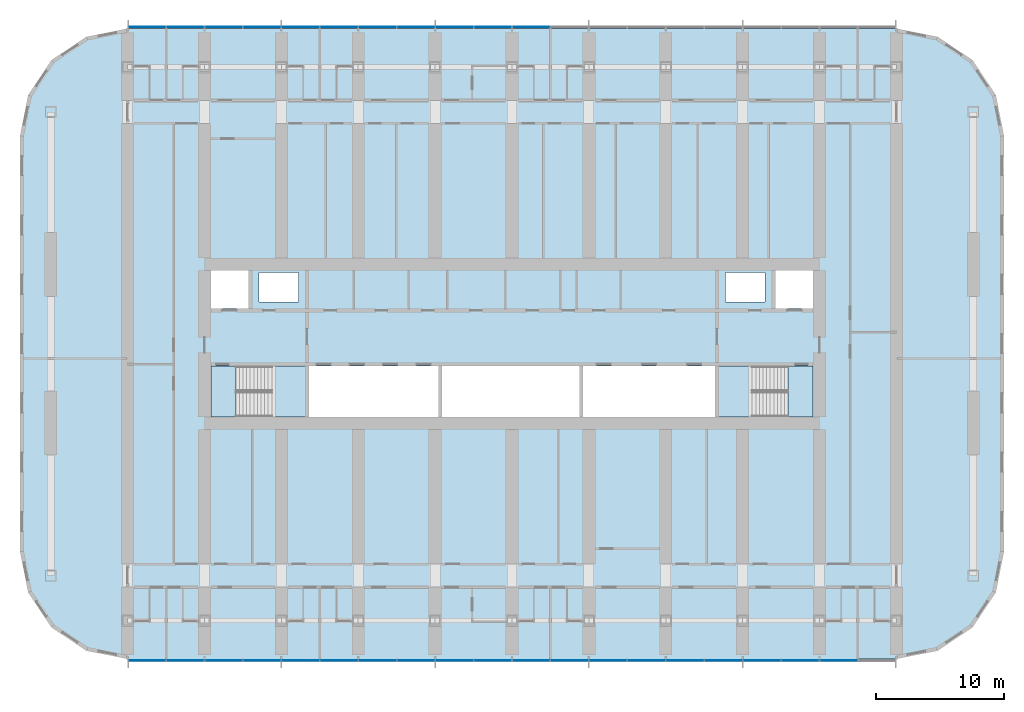
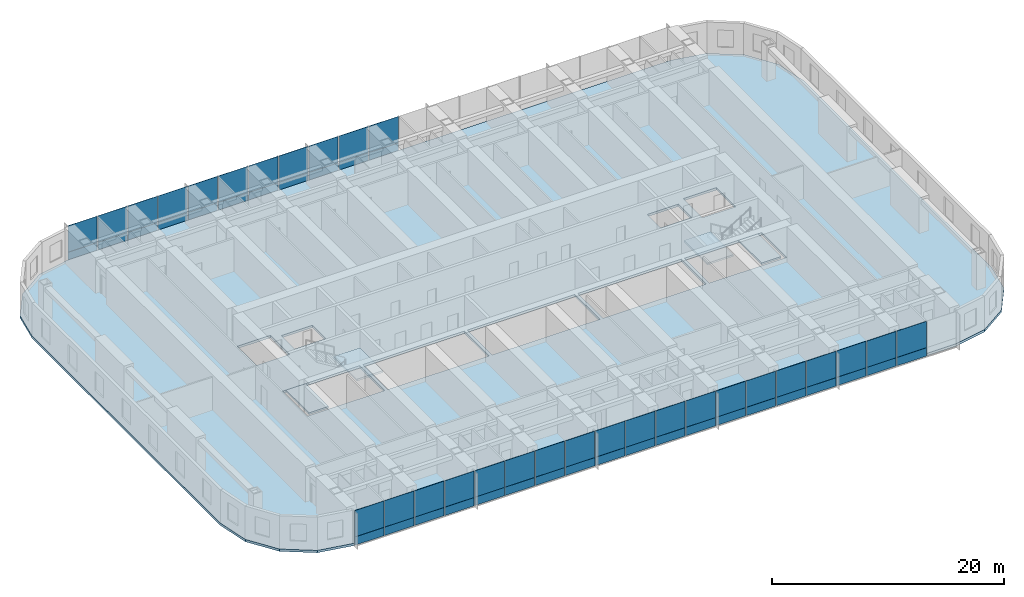
# One storey, part 8 of 23: 60 plates, 5 slabs, 4 elements without a shape of their own.
"""IFC4 building model written with IfcOpenShell, lengths in metres."""

from ifc_helpers import new_model, si_unit, direction, frame, origin, origin_2d, place, context, subcontext, project, spatial, polyline, rectangle, outline, extrude, material, layer, layer_set, type_object, element, aggregate, save


model = new_model("IFC4")

# Units and contexts
model_context = context("Model", 3, precision=1e-05, world=origin(), true_north=direction((0.0, 1.0)))
body_context = subcontext(model_context, "Body", "Model", "MODEL_VIEW")
ifc_project = project(units=[si_unit("LENGTHUNIT", "METRE"), si_unit("AREAUNIT", "SQUARE_METRE"), si_unit("VOLUMEUNIT", "CUBIC_METRE"), si_unit("PLANEANGLEUNIT", "RADIAN"), si_unit("MASSUNIT", "GRAM", prefix="KILO")], contexts=[model_context])

# Site, building, storey
site_placement = place(None, origin())
site = spatial("IfcSite", under=ifc_project, at=site_placement, CompositionType="ELEMENT")
building_placement = place(site_placement, origin())
building = spatial("IfcBuilding", under=site, at=building_placement, Name="Orbita Commons", CompositionType="ELEMENT")
storey_placement = place(building_placement, frame((0.0, 0.0, 61.449951171875)))
storey = spatial("IfcBuildingStorey", under=building, at=storey_placement, Name="L15", CompositionType="ELEMENT", Elevation=61.449951171875)

# Slab
ifc_material_1 = material(Name="Concrete C40/50", Category="concrete")
ifc_layer_1 = layer(ifc_material_1, 0.25)
ifc_layer_set_1 = layer_set([ifc_layer_1], Name="Concrete C40/50")
slab_type_1 = type_object("IfcSlabType", Name="Floor slab 250", PredefinedType="FLOOR", material=ifc_layer_set_1)
slab_1_placement = place(storey_placement, frame((0.0, 0.0, -0.25)))
element("IfcSlab", 1, at=slab_1_placement, inside=storey, type_object=slab_type_1, Name="Floor slab L15", PredefinedType="FLOOR", context=body_context, shape_type="SweptSolid", body=[
    extrude(outline(polyline([(72.0, 7.39990234375), (75.214599609375, 8.039306640625), (77.939697265625, 9.8603515625), (79.760498046875, 12.58544921875), (80.39990234375, 15.800048828125), (80.39990234375, 48.199951171875), (79.760498046875, 51.41455078125), (77.939697265625, 54.1396484375), (75.214599609375, 55.960693359375), (72.0, 56.60009765625), (12.0, 56.60009765625), (8.785400390625, 55.960693359375), (6.060302734375, 54.1396484375), (4.239501953125, 51.41455078125), (3.60009765625, 48.199951171875), (3.60009765625, 15.800048828125), (4.239501953125, 12.58544921875), (6.060302734375, 9.8603515625), (8.785400390625, 8.039306640625), (12.0, 7.39990234375), (72.0, 7.39990234375)]), holes=[polyline([(18.14990234375, 25.949951171875), (25.85009765625, 25.949951171875), (25.85009765625, 30.25), (18.14990234375, 30.25), (18.14990234375, 25.949951171875)]), polyline([(58.14990234375, 25.949951171875), (65.85009765625, 25.949951171875), (65.85009765625, 30.25), (58.14990234375, 30.25), (58.14990234375, 25.949951171875)]), polyline([(18.14990234375, 34.75), (21.449951171875, 34.75), (21.449951171875, 38.050048828125), (18.14990234375, 38.050048828125), (18.14990234375, 34.75)]), polyline([(62.550048828125, 34.75), (65.85009765625, 34.75), (65.85009765625, 38.050048828125), (62.550048828125, 38.050048828125), (62.550048828125, 34.75)]), polyline([(22.25, 35.25), (25.35009765625, 35.25), (25.35009765625, 37.550048828125), (22.25, 37.550048828125), (22.25, 35.25)]), polyline([(58.64990234375, 35.25), (61.75, 35.25), (61.75, 37.550048828125), (58.64990234375, 37.550048828125), (58.64990234375, 35.25)]), polyline([(26.14990234375, 25.949951171875), (36.25, 25.949951171875), (36.25, 30.25), (26.14990234375, 30.25), (26.14990234375, 25.949951171875)]), polyline([(36.550048828125, 25.949951171875), (47.25, 25.949951171875), (47.25, 30.25), (36.550048828125, 30.25), (36.550048828125, 25.949951171875)]), polyline([(47.550048828125, 25.949951171875), (57.85009765625, 25.949951171875), (57.85009765625, 30.25), (47.550048828125, 30.25), (47.550048828125, 25.949951171875)])]), origin(), (0.0, 0.0, 1.0), 0.25),
])

# Curtain wall, plates
ifc_material_2 = material(Name="Anodised aluminium frame, pale silver", Category="aluminium")
curtain_wall_type = type_object("IfcCurtainWallType", Name="Unitised curtain wall CW-T, vision and spandrel", PredefinedType="NOTDEFINED", material=ifc_material_2)
curtain_wall_1_placement = place(storey_placement, origin())
curtain_wall_1 = element("IfcCurtainWall", 2, at=curtain_wall_1_placement, inside=storey, type_object=curtain_wall_type, Name="Curtain wall south L15", PredefinedType="NOTDEFINED")
ifc_material_3 = material(Name="Anodised aluminium sheet on mineral wool", Category="aluminium")
ifc_layer_2 = layer(ifc_material_3, 0.050048828125)
ifc_layer_set_2 = layer_set([ifc_layer_2], Name="Anodised aluminium sheet on mineral wool")
plate_type_1 = type_object("IfcPlateType", Name="Spandrel panel, pale aluminium over insulation 50", PredefinedType="CURTAIN_PANEL", material=ifc_layer_set_2)
plate_1_placement = place(storey_placement, frame((13.52001953125, 7.2900390625, -0.14990234375), z_axis=(0.0, 0.0, 1.0), x_axis=(1.0, 0.0, 0.0)))
plate_1 = element("IfcPlate", 3, at=plate_1_placement, type_object=plate_type_1, Name="Panel 1.1 CW-L15-S", PredefinedType="CURTAIN_PANEL", context=body_context, shape_type="SweptSolid", body=[
    extrude(rectangle(XDim=2.8798828125, YDim=0.050048828125, at=origin_2d()), origin(), (0.0, 0.0, 1.0), 0.875),
])
plate_2_placement = place(storey_placement, frame((16.5, 7.2900390625, -0.14990234375), z_axis=(0.0, 0.0, 1.0), x_axis=(1.0, 0.0, 0.0)))
plate_2 = element("IfcPlate", 4, at=plate_2_placement, type_object=plate_type_1, Name="Panel 2.1 CW-L15-S", PredefinedType="CURTAIN_PANEL", context=body_context, shape_type="SweptSolid", body=[
    extrude(rectangle(XDim=2.919921875, YDim=0.050048828125, at=origin_2d()), origin(), (0.0, 0.0, 1.0), 0.875),
])
plate_3_placement = place(storey_placement, frame((19.5, 7.2900390625, -0.14990234375), z_axis=(0.0, 0.0, 1.0), x_axis=(1.0, 0.0, 0.0)))
plate_3 = element("IfcPlate", 5, at=plate_3_placement, type_object=plate_type_1, Name="Panel 3.1 CW-L15-S", PredefinedType="CURTAIN_PANEL", context=body_context, shape_type="SweptSolid", body=[
    extrude(rectangle(XDim=2.919921875, YDim=0.050048828125, at=origin_2d()), origin(), (0.0, 0.0, 1.0), 0.875),
])
plate_4_placement = place(storey_placement, frame((22.5, 7.2900390625, -0.14990234375), z_axis=(0.0, 0.0, 1.0), x_axis=(1.0, 0.0, 0.0)))
plate_4 = element("IfcPlate", 6, at=plate_4_placement, type_object=plate_type_1, Name="Panel 4.1 CW-L15-S", PredefinedType="CURTAIN_PANEL", context=body_context, shape_type="SweptSolid", body=[
    extrude(rectangle(XDim=2.919921875, YDim=0.050048828125, at=origin_2d()), origin(), (0.0, 0.0, 1.0), 0.875),
])
plate_5_placement = place(storey_placement, frame((25.5, 7.2900390625, -0.14990234375), z_axis=(0.0, 0.0, 1.0), x_axis=(1.0, 0.0, 0.0)))
plate_5 = element("IfcPlate", 7, at=plate_5_placement, type_object=plate_type_1, Name="Panel 5.1 CW-L15-S", PredefinedType="CURTAIN_PANEL", context=body_context, shape_type="SweptSolid", body=[
    extrude(rectangle(XDim=2.919921875, YDim=0.050048828125, at=origin_2d()), origin(), (0.0, 0.0, 1.0), 0.875),
])
plate_6_placement = place(storey_placement, frame((28.5, 7.2900390625, -0.14990234375), z_axis=(0.0, 0.0, 1.0), x_axis=(1.0, 0.0, 0.0)))
plate_6 = element("IfcPlate", 8, at=plate_6_placement, type_object=plate_type_1, Name="Panel 6.1 CW-L15-S", PredefinedType="CURTAIN_PANEL", context=body_context, shape_type="SweptSolid", body=[
    extrude(rectangle(XDim=2.919921875, YDim=0.050048828125, at=origin_2d()), origin(), (0.0, 0.0, 1.0), 0.875),
])
plate_7_placement = place(storey_placement, frame((31.5, 7.2900390625, -0.14990234375), z_axis=(0.0, 0.0, 1.0), x_axis=(1.0, 0.0, 0.0)))
plate_7 = element("IfcPlate", 9, at=plate_7_placement, type_object=plate_type_1, Name="Panel 7.1 CW-L15-S", PredefinedType="CURTAIN_PANEL", context=body_context, shape_type="SweptSolid", body=[
    extrude(rectangle(XDim=2.919921875, YDim=0.050048828125, at=origin_2d()), origin(), (0.0, 0.0, 1.0), 0.875),
])
plate_8_placement = place(storey_placement, frame((34.5, 7.2900390625, -0.14990234375), z_axis=(0.0, 0.0, 1.0), x_axis=(1.0, 0.0, 0.0)))
plate_8 = element("IfcPlate", 10, at=plate_8_placement, type_object=plate_type_1, Name="Panel 8.1 CW-L15-S", PredefinedType="CURTAIN_PANEL", context=body_context, shape_type="SweptSolid", body=[
    extrude(rectangle(XDim=2.919921875, YDim=0.050048828125, at=origin_2d()), origin(), (0.0, 0.0, 1.0), 0.875),
])
plate_9_placement = place(storey_placement, frame((37.5, 7.2900390625, -0.14990234375), z_axis=(0.0, 0.0, 1.0), x_axis=(1.0, 0.0, 0.0)))
plate_9 = element("IfcPlate", 11, at=plate_9_placement, type_object=plate_type_1, Name="Panel 9.1 CW-L15-S", PredefinedType="CURTAIN_PANEL", context=body_context, shape_type="SweptSolid", body=[
    extrude(rectangle(XDim=2.919921875, YDim=0.050048828125, at=origin_2d()), origin(), (0.0, 0.0, 1.0), 0.875),
])
plate_10_placement = place(storey_placement, frame((40.5, 7.2900390625, -0.14990234375), z_axis=(0.0, 0.0, 1.0), x_axis=(1.0, 0.0, 0.0)))
plate_10 = element("IfcPlate", 12, at=plate_10_placement, type_object=plate_type_1, Name="Panel 10.1 CW-L15-S", PredefinedType="CURTAIN_PANEL", context=body_context, shape_type="SweptSolid", body=[
    extrude(rectangle(XDim=2.919921875, YDim=0.050048828125, at=origin_2d()), origin(), (0.0, 0.0, 1.0), 0.875),
])
plate_11_placement = place(storey_placement, frame((43.5, 7.2900390625, -0.14990234375), z_axis=(0.0, 0.0, 1.0), x_axis=(1.0, 0.0, 0.0)))
plate_11 = element("IfcPlate", 13, at=plate_11_placement, type_object=plate_type_1, Name="Panel 11.1 CW-L15-S", PredefinedType="CURTAIN_PANEL", context=body_context, shape_type="SweptSolid", body=[
    extrude(rectangle(XDim=2.919921875, YDim=0.050048828125, at=origin_2d()), origin(), (0.0, 0.0, 1.0), 0.875),
])
plate_12_placement = place(storey_placement, frame((46.5, 7.2900390625, -0.14990234375), z_axis=(0.0, 0.0, 1.0), x_axis=(1.0, 0.0, 0.0)))
plate_12 = element("IfcPlate", 14, at=plate_12_placement, type_object=plate_type_1, Name="Panel 12.1 CW-L15-S", PredefinedType="CURTAIN_PANEL", context=body_context, shape_type="SweptSolid", body=[
    extrude(rectangle(XDim=2.919921875, YDim=0.050048828125, at=origin_2d()), origin(), (0.0, 0.0, 1.0), 0.875),
])
plate_13_placement = place(storey_placement, frame((49.5, 7.2900390625, -0.14990234375), z_axis=(0.0, 0.0, 1.0), x_axis=(1.0, 0.0, 0.0)))
plate_13 = element("IfcPlate", 15, at=plate_13_placement, type_object=plate_type_1, Name="Panel 13.1 CW-L15-S", PredefinedType="CURTAIN_PANEL", context=body_context, shape_type="SweptSolid", body=[
    extrude(rectangle(XDim=2.919921875, YDim=0.050048828125, at=origin_2d()), origin(), (0.0, 0.0, 1.0), 0.875),
])
plate_14_placement = place(storey_placement, frame((52.5, 7.2900390625, -0.14990234375), z_axis=(0.0, 0.0, 1.0), x_axis=(1.0, 0.0, 0.0)))
plate_14 = element("IfcPlate", 16, at=plate_14_placement, type_object=plate_type_1, Name="Panel 14.1 CW-L15-S", PredefinedType="CURTAIN_PANEL", context=body_context, shape_type="SweptSolid", body=[
    extrude(rectangle(XDim=2.919921875, YDim=0.050048828125, at=origin_2d()), origin(), (0.0, 0.0, 1.0), 0.875),
])
plate_15_placement = place(storey_placement, frame((55.5, 7.2900390625, -0.14990234375), z_axis=(0.0, 0.0, 1.0), x_axis=(1.0, 0.0, 0.0)))
plate_15 = element("IfcPlate", 17, at=plate_15_placement, type_object=plate_type_1, Name="Panel 15.1 CW-L15-S", PredefinedType="CURTAIN_PANEL", context=body_context, shape_type="SweptSolid", body=[
    extrude(rectangle(XDim=2.919921875, YDim=0.050048828125, at=origin_2d()), origin(), (0.0, 0.0, 1.0), 0.875),
])
plate_16_placement = place(storey_placement, frame((58.5, 7.2900390625, -0.14990234375), z_axis=(0.0, 0.0, 1.0), x_axis=(1.0, 0.0, 0.0)))
plate_16 = element("IfcPlate", 18, at=plate_16_placement, type_object=plate_type_1, Name="Panel 16.1 CW-L15-S", PredefinedType="CURTAIN_PANEL", context=body_context, shape_type="SweptSolid", body=[
    extrude(rectangle(XDim=2.919921875, YDim=0.050048828125, at=origin_2d()), origin(), (0.0, 0.0, 1.0), 0.875),
])
plate_17_placement = place(storey_placement, frame((61.5, 7.2900390625, -0.14990234375), z_axis=(0.0, 0.0, 1.0), x_axis=(1.0, 0.0, 0.0)))
plate_17 = element("IfcPlate", 19, at=plate_17_placement, type_object=plate_type_1, Name="Panel 17.1 CW-L15-S", PredefinedType="CURTAIN_PANEL", context=body_context, shape_type="SweptSolid", body=[
    extrude(rectangle(XDim=2.919921875, YDim=0.050048828125, at=origin_2d()), origin(), (0.0, 0.0, 1.0), 0.875),
])
plate_18_placement = place(storey_placement, frame((64.5, 7.2900390625, -0.14990234375), z_axis=(0.0, 0.0, 1.0), x_axis=(1.0, 0.0, 0.0)))
plate_18 = element("IfcPlate", 20, at=plate_18_placement, type_object=plate_type_1, Name="Panel 18.1 CW-L15-S", PredefinedType="CURTAIN_PANEL", context=body_context, shape_type="SweptSolid", body=[
    extrude(rectangle(XDim=2.919921875, YDim=0.050048828125, at=origin_2d()), origin(), (0.0, 0.0, 1.0), 0.875),
])
plate_19_placement = place(storey_placement, frame((67.5, 7.2900390625, -0.14990234375), z_axis=(0.0, 0.0, 1.0), x_axis=(1.0, 0.0, 0.0)))
plate_19 = element("IfcPlate", 21, at=plate_19_placement, type_object=plate_type_1, Name="Panel 19.1 CW-L15-S", PredefinedType="CURTAIN_PANEL", context=body_context, shape_type="SweptSolid", body=[
    extrude(rectangle(XDim=2.919921875, YDim=0.050048828125, at=origin_2d()), origin(), (0.0, 0.0, 1.0), 0.875),
])

curtain_wall_2_placement = place(storey_placement, origin())
curtain_wall_2 = element("IfcCurtainWall", 22, at=curtain_wall_2_placement, inside=storey, type_object=curtain_wall_type, Name="Curtain wall north L15", PredefinedType="NOTDEFINED")
plate_20_placement = place(storey_placement, frame((43.5, 56.7099609375, -0.14990234375), z_axis=(0.0, 0.0, 1.0), x_axis=(-1.0, 0.0, 0.0)))
plate_20 = element("IfcPlate", 23, at=plate_20_placement, type_object=plate_type_1, Name="Panel 10.1 CW-L15-N", PredefinedType="CURTAIN_PANEL", context=body_context, shape_type="SweptSolid", body=[
    extrude(rectangle(XDim=2.919921875, YDim=0.050048828125, at=origin_2d()), origin(), (0.0, 0.0, 1.0), 0.875),
])
plate_21_placement = place(storey_placement, frame((40.5, 56.7099609375, -0.14990234375), z_axis=(0.0, 0.0, 1.0), x_axis=(-1.0, 0.0, 0.0)))
plate_21 = element("IfcPlate", 24, at=plate_21_placement, type_object=plate_type_1, Name="Panel 11.1 CW-L15-N", PredefinedType="CURTAIN_PANEL", context=body_context, shape_type="SweptSolid", body=[
    extrude(rectangle(XDim=2.919921875, YDim=0.050048828125, at=origin_2d()), origin(), (0.0, 0.0, 1.0), 0.875),
])
plate_22_placement = place(storey_placement, frame((37.5, 56.7099609375, -0.14990234375), z_axis=(0.0, 0.0, 1.0), x_axis=(-1.0, 0.0, 0.0)))
plate_22 = element("IfcPlate", 25, at=plate_22_placement, type_object=plate_type_1, Name="Panel 12.1 CW-L15-N", PredefinedType="CURTAIN_PANEL", context=body_context, shape_type="SweptSolid", body=[
    extrude(rectangle(XDim=2.919921875, YDim=0.050048828125, at=origin_2d()), origin(), (0.0, 0.0, 1.0), 0.875),
])
plate_23_placement = place(storey_placement, frame((34.5, 56.7099609375, -0.14990234375), z_axis=(0.0, 0.0, 1.0), x_axis=(-1.0, 0.0, 0.0)))
plate_23 = element("IfcPlate", 26, at=plate_23_placement, type_object=plate_type_1, Name="Panel 13.1 CW-L15-N", PredefinedType="CURTAIN_PANEL", context=body_context, shape_type="SweptSolid", body=[
    extrude(rectangle(XDim=2.919921875, YDim=0.050048828125, at=origin_2d()), origin(), (0.0, 0.0, 1.0), 0.875),
])
plate_24_placement = place(storey_placement, frame((31.5, 56.7099609375, -0.14990234375), z_axis=(0.0, 0.0, 1.0), x_axis=(-1.0, 0.0, 0.0)))
plate_24 = element("IfcPlate", 27, at=plate_24_placement, type_object=plate_type_1, Name="Panel 14.1 CW-L15-N", PredefinedType="CURTAIN_PANEL", context=body_context, shape_type="SweptSolid", body=[
    extrude(rectangle(XDim=2.919921875, YDim=0.050048828125, at=origin_2d()), origin(), (0.0, 0.0, 1.0), 0.875),
])
plate_25_placement = place(storey_placement, frame((28.5, 56.7099609375, -0.14990234375), z_axis=(0.0, 0.0, 1.0), x_axis=(-1.0, 0.0, 0.0)))
plate_25 = element("IfcPlate", 28, at=plate_25_placement, type_object=plate_type_1, Name="Panel 15.1 CW-L15-N", PredefinedType="CURTAIN_PANEL", context=body_context, shape_type="SweptSolid", body=[
    extrude(rectangle(XDim=2.919921875, YDim=0.050048828125, at=origin_2d()), origin(), (0.0, 0.0, 1.0), 0.875),
])
plate_26_placement = place(storey_placement, frame((25.5, 56.7099609375, -0.14990234375), z_axis=(0.0, 0.0, 1.0), x_axis=(-1.0, 0.0, 0.0)))
plate_26 = element("IfcPlate", 29, at=plate_26_placement, type_object=plate_type_1, Name="Panel 16.1 CW-L15-N", PredefinedType="CURTAIN_PANEL", context=body_context, shape_type="SweptSolid", body=[
    extrude(rectangle(XDim=2.919921875, YDim=0.050048828125, at=origin_2d()), origin(), (0.0, 0.0, 1.0), 0.875),
])
plate_27_placement = place(storey_placement, frame((22.5, 56.7099609375, -0.14990234375), z_axis=(0.0, 0.0, 1.0), x_axis=(-1.0, 0.0, 0.0)))
plate_27 = element("IfcPlate", 30, at=plate_27_placement, type_object=plate_type_1, Name="Panel 17.1 CW-L15-N", PredefinedType="CURTAIN_PANEL", context=body_context, shape_type="SweptSolid", body=[
    extrude(rectangle(XDim=2.919921875, YDim=0.050048828125, at=origin_2d()), origin(), (0.0, 0.0, 1.0), 0.875),
])
plate_28_placement = place(storey_placement, frame((19.5, 56.7099609375, -0.14990234375), z_axis=(0.0, 0.0, 1.0), x_axis=(-1.0, 0.0, 0.0)))
plate_28 = element("IfcPlate", 31, at=plate_28_placement, type_object=plate_type_1, Name="Panel 18.1 CW-L15-N", PredefinedType="CURTAIN_PANEL", context=body_context, shape_type="SweptSolid", body=[
    extrude(rectangle(XDim=2.919921875, YDim=0.050048828125, at=origin_2d()), origin(), (0.0, 0.0, 1.0), 0.875),
])
plate_29_placement = place(storey_placement, frame((16.5, 56.7099609375, -0.14990234375), z_axis=(0.0, 0.0, 1.0), x_axis=(-1.0, 0.0, 0.0)))
plate_29 = element("IfcPlate", 32, at=plate_29_placement, type_object=plate_type_1, Name="Panel 19.1 CW-L15-N", PredefinedType="CURTAIN_PANEL", context=body_context, shape_type="SweptSolid", body=[
    extrude(rectangle(XDim=2.919921875, YDim=0.050048828125, at=origin_2d()), origin(), (0.0, 0.0, 1.0), 0.875),
])
plate_30_placement = place(storey_placement, frame((13.52001953125, 56.7099609375, -0.14990234375), z_axis=(0.0, 0.0, 1.0), x_axis=(-1.0, 0.0, 0.0)))
plate_30 = element("IfcPlate", 33, at=plate_30_placement, type_object=plate_type_1, Name="Panel 20.1 CW-L15-N", PredefinedType="CURTAIN_PANEL", context=body_context, shape_type="SweptSolid", body=[
    extrude(rectangle(XDim=2.8798828125, YDim=0.050048828125, at=origin_2d()), origin(), (0.0, 0.0, 1.0), 0.875),
])

# Stair, slabs
ifc_material_4 = material(Name="Precast concrete C40/50", Category="concrete")
stair_type_1 = type_object("IfcStairType", Name="Exit stair S1 2 flights 11 risers 170", PredefinedType="HALF_TURN_STAIR", material=ifc_material_4)
stair_1_placement = place(storey_placement, origin())
stair_1 = element("IfcStair", 34, at=stair_1_placement, inside=storey, type_object=stair_type_1, Name="Exit stair S1 L15", PredefinedType="HALF_TURN_STAIR")
ifc_material_5 = material(Name="Concrete C40/50", Category="concrete")
ifc_layer_3 = layer(ifc_material_5, 0.199951171875)
ifc_layer_set_3 = layer_set([ifc_layer_3], Name="Concrete C40/50")
slab_type_2 = type_object("IfcSlabType", Name="Stair landing 200", PredefinedType="LANDING", material=ifc_layer_set_3)
slab_2_placement = place(storey_placement, frame((0.0, 0.0, -0.199951171875)))
slab_2 = element("IfcSlab", 35, at=slab_2_placement, type_object=slab_type_2, Name="S1 landing 1", PredefinedType="LANDING", context=body_context, shape_type="SweptSolid", body=[
    extrude(outline(polyline([(18.5, 26.300048828125), (20.449951171875, 26.300048828125), (20.449951171875, 30.25), (18.5, 30.25), (18.5, 26.300048828125)])), origin(), (0.0, 0.0, 1.0), 0.199951171875),
])
slab_3_placement = place(storey_placement, frame((0.0, 0.0, 1.675048828125)))
slab_3 = element("IfcSlab", 36, at=slab_3_placement, type_object=slab_type_2, Name="S1 landing 2", PredefinedType="LANDING", context=body_context, shape_type="SweptSolid", body=[
    extrude(outline(polyline([(23.25, 26.284912109375), (25.864990234375, 26.284912109375), (25.864990234375, 30.264892578125), (23.25, 30.264892578125), (23.25, 26.284912109375)])), origin(), (0.0, 0.0, 1.0), 0.199951171875),
])
aggregate(stair_1, [slab_2, slab_3])

ifc_material_6 = material(Name="Precast concrete C40/50", Category="concrete")
stair_type_2 = type_object("IfcStairType", Name="Exit stair S2 2 flights 11 risers 170", PredefinedType="HALF_TURN_STAIR", material=ifc_material_6)
stair_2_placement = place(storey_placement, origin())
stair_2 = element("IfcStair", 37, at=stair_2_placement, inside=storey, type_object=stair_type_2, Name="Exit stair S2 L15", PredefinedType="HALF_TURN_STAIR")
slab_4_placement = place(storey_placement, frame((0.0, 0.0, -0.199951171875)))
slab_4 = element("IfcSlab", 38, at=slab_4_placement, type_object=slab_type_2, Name="S2 landing 1", PredefinedType="LANDING", context=body_context, shape_type="SweptSolid", body=[
    extrude(outline(polyline([(63.550048828125, 26.300048828125), (65.5, 26.300048828125), (65.5, 30.25), (63.550048828125, 30.25), (63.550048828125, 26.300048828125)])), origin(), (0.0, 0.0, 1.0), 0.199951171875),
])
slab_5_placement = place(storey_placement, frame((0.0, 0.0, 1.675048828125)))
slab_5 = element("IfcSlab", 39, at=slab_5_placement, type_object=slab_type_2, Name="S2 landing 2", PredefinedType="LANDING", context=body_context, shape_type="SweptSolid", body=[
    extrude(outline(polyline([(58.135009765625, 26.284912109375), (60.75, 26.284912109375), (60.75, 30.264892578125), (58.135009765625, 30.264892578125), (58.135009765625, 26.284912109375)])), origin(), (0.0, 0.0, 1.0), 0.199951171875),
])
aggregate(stair_2, [slab_4, slab_5])

# Plate
ifc_material_7 = material(Name="Clear double glazing", Category="glass")
ifc_layer_4 = layer(ifc_material_7, 0.031982421875)
ifc_layer_set_4 = layer_set([ifc_layer_4], Name="Clear double glazing")
plate_type_2 = type_object("IfcPlateType", Name="Vision panel, clear double glazing 32", PredefinedType="CURTAIN_PANEL", material=ifc_layer_set_4)
plate_31_placement = place(storey_placement, frame((13.52001953125, 7.2900390625, 0.72509765625), z_axis=(0.0, 0.0, 1.0), x_axis=(1.0, 0.0, 0.0)))
plate_31 = element("IfcPlate", 40, at=plate_31_placement, type_object=plate_type_2, Name="Panel 1.2 CW-L15-S", PredefinedType="CURTAIN_PANEL", context=body_context, shape_type="SweptSolid", body=[
    extrude(rectangle(XDim=2.8798828125, YDim=0.031982421875, at=origin_2d()), origin(), (0.0, 0.0, 1.0), 2.77490234375),
])

plate_32_placement = place(storey_placement, frame((16.5, 7.2900390625, 0.72509765625), z_axis=(0.0, 0.0, 1.0), x_axis=(1.0, 0.0, 0.0)))
plate_32 = element("IfcPlate", 41, at=plate_32_placement, type_object=plate_type_2, Name="Panel 2.2 CW-L15-S", PredefinedType="CURTAIN_PANEL", context=body_context, shape_type="SweptSolid", body=[
    extrude(rectangle(XDim=2.919921875, YDim=0.031982421875, at=origin_2d()), origin(), (0.0, 0.0, 1.0), 2.77490234375),
])

plate_33_placement = place(storey_placement, frame((19.5, 7.2900390625, 0.72509765625), z_axis=(0.0, 0.0, 1.0), x_axis=(1.0, 0.0, 0.0)))
plate_33 = element("IfcPlate", 42, at=plate_33_placement, type_object=plate_type_2, Name="Panel 3.2 CW-L15-S", PredefinedType="CURTAIN_PANEL", context=body_context, shape_type="SweptSolid", body=[
    extrude(rectangle(XDim=2.919921875, YDim=0.031982421875, at=origin_2d()), origin(), (0.0, 0.0, 1.0), 2.77490234375),
])

plate_34_placement = place(storey_placement, frame((22.5, 7.2900390625, 0.72509765625), z_axis=(0.0, 0.0, 1.0), x_axis=(1.0, 0.0, 0.0)))
plate_34 = element("IfcPlate", 43, at=plate_34_placement, type_object=plate_type_2, Name="Panel 4.2 CW-L15-S", PredefinedType="CURTAIN_PANEL", context=body_context, shape_type="SweptSolid", body=[
    extrude(rectangle(XDim=2.919921875, YDim=0.031982421875, at=origin_2d()), origin(), (0.0, 0.0, 1.0), 2.77490234375),
])

plate_35_placement = place(storey_placement, frame((25.5, 7.2900390625, 0.72509765625), z_axis=(0.0, 0.0, 1.0), x_axis=(1.0, 0.0, 0.0)))
plate_35 = element("IfcPlate", 44, at=plate_35_placement, type_object=plate_type_2, Name="Panel 5.2 CW-L15-S", PredefinedType="CURTAIN_PANEL", context=body_context, shape_type="SweptSolid", body=[
    extrude(rectangle(XDim=2.919921875, YDim=0.031982421875, at=origin_2d()), origin(), (0.0, 0.0, 1.0), 2.77490234375),
])

plate_36_placement = place(storey_placement, frame((28.5, 7.2900390625, 0.72509765625), z_axis=(0.0, 0.0, 1.0), x_axis=(1.0, 0.0, 0.0)))
plate_36 = element("IfcPlate", 45, at=plate_36_placement, type_object=plate_type_2, Name="Panel 6.2 CW-L15-S", PredefinedType="CURTAIN_PANEL", context=body_context, shape_type="SweptSolid", body=[
    extrude(rectangle(XDim=2.919921875, YDim=0.031982421875, at=origin_2d()), origin(), (0.0, 0.0, 1.0), 2.77490234375),
])

plate_37_placement = place(storey_placement, frame((31.5, 7.2900390625, 0.72509765625), z_axis=(0.0, 0.0, 1.0), x_axis=(1.0, 0.0, 0.0)))
plate_37 = element("IfcPlate", 46, at=plate_37_placement, type_object=plate_type_2, Name="Panel 7.2 CW-L15-S", PredefinedType="CURTAIN_PANEL", context=body_context, shape_type="SweptSolid", body=[
    extrude(rectangle(XDim=2.919921875, YDim=0.031982421875, at=origin_2d()), origin(), (0.0, 0.0, 1.0), 2.77490234375),
])

plate_38_placement = place(storey_placement, frame((34.5, 7.2900390625, 0.72509765625), z_axis=(0.0, 0.0, 1.0), x_axis=(1.0, 0.0, 0.0)))
plate_38 = element("IfcPlate", 47, at=plate_38_placement, type_object=plate_type_2, Name="Panel 8.2 CW-L15-S", PredefinedType="CURTAIN_PANEL", context=body_context, shape_type="SweptSolid", body=[
    extrude(rectangle(XDim=2.919921875, YDim=0.031982421875, at=origin_2d()), origin(), (0.0, 0.0, 1.0), 2.77490234375),
])

plate_39_placement = place(storey_placement, frame((37.5, 7.2900390625, 0.72509765625), z_axis=(0.0, 0.0, 1.0), x_axis=(1.0, 0.0, 0.0)))
plate_39 = element("IfcPlate", 48, at=plate_39_placement, type_object=plate_type_2, Name="Panel 9.2 CW-L15-S", PredefinedType="CURTAIN_PANEL", context=body_context, shape_type="SweptSolid", body=[
    extrude(rectangle(XDim=2.919921875, YDim=0.031982421875, at=origin_2d()), origin(), (0.0, 0.0, 1.0), 2.77490234375),
])

plate_40_placement = place(storey_placement, frame((40.5, 7.2900390625, 0.72509765625), z_axis=(0.0, 0.0, 1.0), x_axis=(1.0, 0.0, 0.0)))
plate_40 = element("IfcPlate", 49, at=plate_40_placement, type_object=plate_type_2, Name="Panel 10.2 CW-L15-S", PredefinedType="CURTAIN_PANEL", context=body_context, shape_type="SweptSolid", body=[
    extrude(rectangle(XDim=2.919921875, YDim=0.031982421875, at=origin_2d()), origin(), (0.0, 0.0, 1.0), 2.77490234375),
])

plate_41_placement = place(storey_placement, frame((43.5, 7.2900390625, 0.72509765625), z_axis=(0.0, 0.0, 1.0), x_axis=(1.0, 0.0, 0.0)))
plate_41 = element("IfcPlate", 50, at=plate_41_placement, type_object=plate_type_2, Name="Panel 11.2 CW-L15-S", PredefinedType="CURTAIN_PANEL", context=body_context, shape_type="SweptSolid", body=[
    extrude(rectangle(XDim=2.919921875, YDim=0.031982421875, at=origin_2d()), origin(), (0.0, 0.0, 1.0), 2.77490234375),
])

plate_42_placement = place(storey_placement, frame((46.5, 7.2900390625, 0.72509765625), z_axis=(0.0, 0.0, 1.0), x_axis=(1.0, 0.0, 0.0)))
plate_42 = element("IfcPlate", 51, at=plate_42_placement, type_object=plate_type_2, Name="Panel 12.2 CW-L15-S", PredefinedType="CURTAIN_PANEL", context=body_context, shape_type="SweptSolid", body=[
    extrude(rectangle(XDim=2.919921875, YDim=0.031982421875, at=origin_2d()), origin(), (0.0, 0.0, 1.0), 2.77490234375),
])

plate_43_placement = place(storey_placement, frame((49.5, 7.2900390625, 0.72509765625), z_axis=(0.0, 0.0, 1.0), x_axis=(1.0, 0.0, 0.0)))
plate_43 = element("IfcPlate", 52, at=plate_43_placement, type_object=plate_type_2, Name="Panel 13.2 CW-L15-S", PredefinedType="CURTAIN_PANEL", context=body_context, shape_type="SweptSolid", body=[
    extrude(rectangle(XDim=2.919921875, YDim=0.031982421875, at=origin_2d()), origin(), (0.0, 0.0, 1.0), 2.77490234375),
])

plate_44_placement = place(storey_placement, frame((52.5, 7.2900390625, 0.72509765625), z_axis=(0.0, 0.0, 1.0), x_axis=(1.0, 0.0, 0.0)))
plate_44 = element("IfcPlate", 53, at=plate_44_placement, type_object=plate_type_2, Name="Panel 14.2 CW-L15-S", PredefinedType="CURTAIN_PANEL", context=body_context, shape_type="SweptSolid", body=[
    extrude(rectangle(XDim=2.919921875, YDim=0.031982421875, at=origin_2d()), origin(), (0.0, 0.0, 1.0), 2.77490234375),
])

plate_45_placement = place(storey_placement, frame((55.5, 7.2900390625, 0.72509765625), z_axis=(0.0, 0.0, 1.0), x_axis=(1.0, 0.0, 0.0)))
plate_45 = element("IfcPlate", 54, at=plate_45_placement, type_object=plate_type_2, Name="Panel 15.2 CW-L15-S", PredefinedType="CURTAIN_PANEL", context=body_context, shape_type="SweptSolid", body=[
    extrude(rectangle(XDim=2.919921875, YDim=0.031982421875, at=origin_2d()), origin(), (0.0, 0.0, 1.0), 2.77490234375),
])

plate_46_placement = place(storey_placement, frame((58.5, 7.2900390625, 0.72509765625), z_axis=(0.0, 0.0, 1.0), x_axis=(1.0, 0.0, 0.0)))
plate_46 = element("IfcPlate", 55, at=plate_46_placement, type_object=plate_type_2, Name="Panel 16.2 CW-L15-S", PredefinedType="CURTAIN_PANEL", context=body_context, shape_type="SweptSolid", body=[
    extrude(rectangle(XDim=2.919921875, YDim=0.031982421875, at=origin_2d()), origin(), (0.0, 0.0, 1.0), 2.77490234375),
])

plate_47_placement = place(storey_placement, frame((61.5, 7.2900390625, 0.72509765625), z_axis=(0.0, 0.0, 1.0), x_axis=(1.0, 0.0, 0.0)))
plate_47 = element("IfcPlate", 56, at=plate_47_placement, type_object=plate_type_2, Name="Panel 17.2 CW-L15-S", PredefinedType="CURTAIN_PANEL", context=body_context, shape_type="SweptSolid", body=[
    extrude(rectangle(XDim=2.919921875, YDim=0.031982421875, at=origin_2d()), origin(), (0.0, 0.0, 1.0), 2.77490234375),
])

plate_48_placement = place(storey_placement, frame((64.5, 7.2900390625, 0.72509765625), z_axis=(0.0, 0.0, 1.0), x_axis=(1.0, 0.0, 0.0)))
plate_48 = element("IfcPlate", 57, at=plate_48_placement, type_object=plate_type_2, Name="Panel 18.2 CW-L15-S", PredefinedType="CURTAIN_PANEL", context=body_context, shape_type="SweptSolid", body=[
    extrude(rectangle(XDim=2.919921875, YDim=0.031982421875, at=origin_2d()), origin(), (0.0, 0.0, 1.0), 2.77490234375),
])

plate_49_placement = place(storey_placement, frame((67.5, 7.2900390625, 0.72509765625), z_axis=(0.0, 0.0, 1.0), x_axis=(1.0, 0.0, 0.0)))
plate_49 = element("IfcPlate", 58, at=plate_49_placement, type_object=plate_type_2, Name="Panel 19.2 CW-L15-S", PredefinedType="CURTAIN_PANEL", context=body_context, shape_type="SweptSolid", body=[
    extrude(rectangle(XDim=2.919921875, YDim=0.031982421875, at=origin_2d()), origin(), (0.0, 0.0, 1.0), 2.77490234375),
])

aggregate(curtain_wall_1, [plate_1, plate_31, plate_2, plate_32, plate_3, plate_33, plate_4, plate_34, plate_5, plate_35, plate_6, plate_36, plate_7, plate_37, plate_8, plate_38, plate_9, plate_39, plate_10, plate_40, plate_11, plate_41, plate_12, plate_42, plate_13, plate_43, plate_14, plate_44, plate_15, plate_45, plate_16, plate_46, plate_17, plate_47, plate_18, plate_48, plate_19, plate_49])

plate_50_placement = place(storey_placement, frame((43.5, 56.7099609375, 0.72509765625), z_axis=(0.0, 0.0, 1.0), x_axis=(-1.0, 0.0, 0.0)))
plate_50 = element("IfcPlate", 59, at=plate_50_placement, type_object=plate_type_2, Name="Panel 10.2 CW-L15-N", PredefinedType="CURTAIN_PANEL", context=body_context, shape_type="SweptSolid", body=[
    extrude(rectangle(XDim=2.919921875, YDim=0.031982421875, at=origin_2d()), origin(), (0.0, 0.0, 1.0), 2.77490234375),
])

plate_51_placement = place(storey_placement, frame((40.5, 56.7099609375, 0.72509765625), z_axis=(0.0, 0.0, 1.0), x_axis=(-1.0, 0.0, 0.0)))
plate_51 = element("IfcPlate", 60, at=plate_51_placement, type_object=plate_type_2, Name="Panel 11.2 CW-L15-N", PredefinedType="CURTAIN_PANEL", context=body_context, shape_type="SweptSolid", body=[
    extrude(rectangle(XDim=2.919921875, YDim=0.031982421875, at=origin_2d()), origin(), (0.0, 0.0, 1.0), 2.77490234375),
])

plate_52_placement = place(storey_placement, frame((37.5, 56.7099609375, 0.72509765625), z_axis=(0.0, 0.0, 1.0), x_axis=(-1.0, 0.0, 0.0)))
plate_52 = element("IfcPlate", 61, at=plate_52_placement, type_object=plate_type_2, Name="Panel 12.2 CW-L15-N", PredefinedType="CURTAIN_PANEL", context=body_context, shape_type="SweptSolid", body=[
    extrude(rectangle(XDim=2.919921875, YDim=0.031982421875, at=origin_2d()), origin(), (0.0, 0.0, 1.0), 2.77490234375),
])

plate_53_placement = place(storey_placement, frame((34.5, 56.7099609375, 0.72509765625), z_axis=(0.0, 0.0, 1.0), x_axis=(-1.0, 0.0, 0.0)))
plate_53 = element("IfcPlate", 62, at=plate_53_placement, type_object=plate_type_2, Name="Panel 13.2 CW-L15-N", PredefinedType="CURTAIN_PANEL", context=body_context, shape_type="SweptSolid", body=[
    extrude(rectangle(XDim=2.919921875, YDim=0.031982421875, at=origin_2d()), origin(), (0.0, 0.0, 1.0), 2.77490234375),
])

plate_54_placement = place(storey_placement, frame((31.5, 56.7099609375, 0.72509765625), z_axis=(0.0, 0.0, 1.0), x_axis=(-1.0, 0.0, 0.0)))
plate_54 = element("IfcPlate", 63, at=plate_54_placement, type_object=plate_type_2, Name="Panel 14.2 CW-L15-N", PredefinedType="CURTAIN_PANEL", context=body_context, shape_type="SweptSolid", body=[
    extrude(rectangle(XDim=2.919921875, YDim=0.031982421875, at=origin_2d()), origin(), (0.0, 0.0, 1.0), 2.77490234375),
])

plate_55_placement = place(storey_placement, frame((28.5, 56.7099609375, 0.72509765625), z_axis=(0.0, 0.0, 1.0), x_axis=(-1.0, 0.0, 0.0)))
plate_55 = element("IfcPlate", 64, at=plate_55_placement, type_object=plate_type_2, Name="Panel 15.2 CW-L15-N", PredefinedType="CURTAIN_PANEL", context=body_context, shape_type="SweptSolid", body=[
    extrude(rectangle(XDim=2.919921875, YDim=0.031982421875, at=origin_2d()), origin(), (0.0, 0.0, 1.0), 2.77490234375),
])

plate_56_placement = place(storey_placement, frame((25.5, 56.7099609375, 0.72509765625), z_axis=(0.0, 0.0, 1.0), x_axis=(-1.0, 0.0, 0.0)))
plate_56 = element("IfcPlate", 65, at=plate_56_placement, type_object=plate_type_2, Name="Panel 16.2 CW-L15-N", PredefinedType="CURTAIN_PANEL", context=body_context, shape_type="SweptSolid", body=[
    extrude(rectangle(XDim=2.919921875, YDim=0.031982421875, at=origin_2d()), origin(), (0.0, 0.0, 1.0), 2.77490234375),
])

plate_57_placement = place(storey_placement, frame((22.5, 56.7099609375, 0.72509765625), z_axis=(0.0, 0.0, 1.0), x_axis=(-1.0, 0.0, 0.0)))
plate_57 = element("IfcPlate", 66, at=plate_57_placement, type_object=plate_type_2, Name="Panel 17.2 CW-L15-N", PredefinedType="CURTAIN_PANEL", context=body_context, shape_type="SweptSolid", body=[
    extrude(rectangle(XDim=2.919921875, YDim=0.031982421875, at=origin_2d()), origin(), (0.0, 0.0, 1.0), 2.77490234375),
])

plate_58_placement = place(storey_placement, frame((19.5, 56.7099609375, 0.72509765625), z_axis=(0.0, 0.0, 1.0), x_axis=(-1.0, 0.0, 0.0)))
plate_58 = element("IfcPlate", 67, at=plate_58_placement, type_object=plate_type_2, Name="Panel 18.2 CW-L15-N", PredefinedType="CURTAIN_PANEL", context=body_context, shape_type="SweptSolid", body=[
    extrude(rectangle(XDim=2.919921875, YDim=0.031982421875, at=origin_2d()), origin(), (0.0, 0.0, 1.0), 2.77490234375),
])

plate_59_placement = place(storey_placement, frame((16.5, 56.7099609375, 0.72509765625), z_axis=(0.0, 0.0, 1.0), x_axis=(-1.0, 0.0, 0.0)))
plate_59 = element("IfcPlate", 68, at=plate_59_placement, type_object=plate_type_2, Name="Panel 19.2 CW-L15-N", PredefinedType="CURTAIN_PANEL", context=body_context, shape_type="SweptSolid", body=[
    extrude(rectangle(XDim=2.919921875, YDim=0.031982421875, at=origin_2d()), origin(), (0.0, 0.0, 1.0), 2.77490234375),
])

plate_60_placement = place(storey_placement, frame((13.52001953125, 56.7099609375, 0.72509765625), z_axis=(0.0, 0.0, 1.0), x_axis=(-1.0, 0.0, 0.0)))
plate_60 = element("IfcPlate", 69, at=plate_60_placement, type_object=plate_type_2, Name="Panel 20.2 CW-L15-N", PredefinedType="CURTAIN_PANEL", context=body_context, shape_type="SweptSolid", body=[
    extrude(rectangle(XDim=2.8798828125, YDim=0.031982421875, at=origin_2d()), origin(), (0.0, 0.0, 1.0), 2.77490234375),
])

aggregate(curtain_wall_2, [plate_20, plate_50, plate_21, plate_51, plate_22, plate_52, plate_23, plate_53, plate_24, plate_54, plate_25, plate_55, plate_26, plate_56, plate_27, plate_57, plate_28, plate_58, plate_29, plate_59, plate_30, plate_60])

save(model, "model.ifc")
